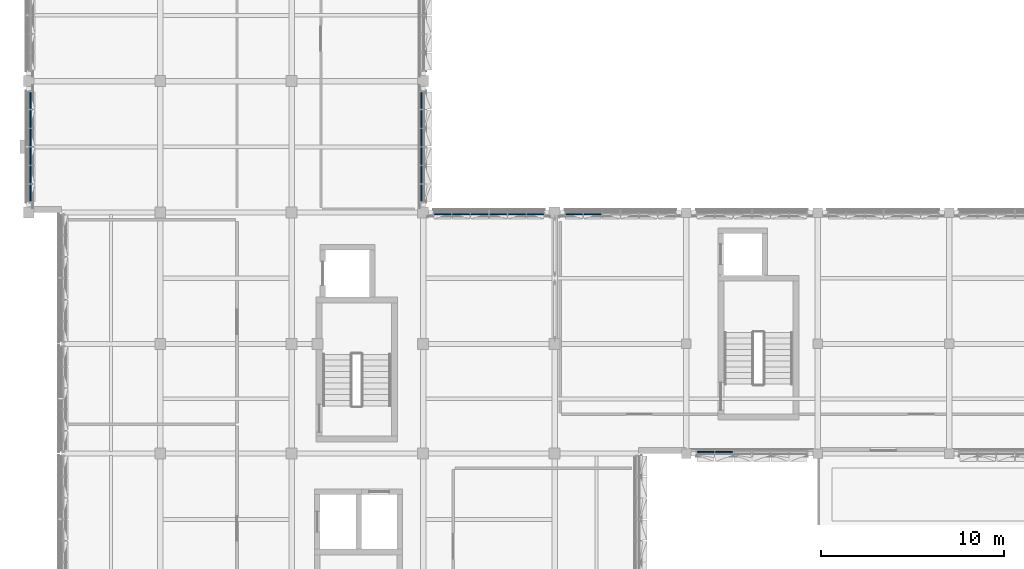
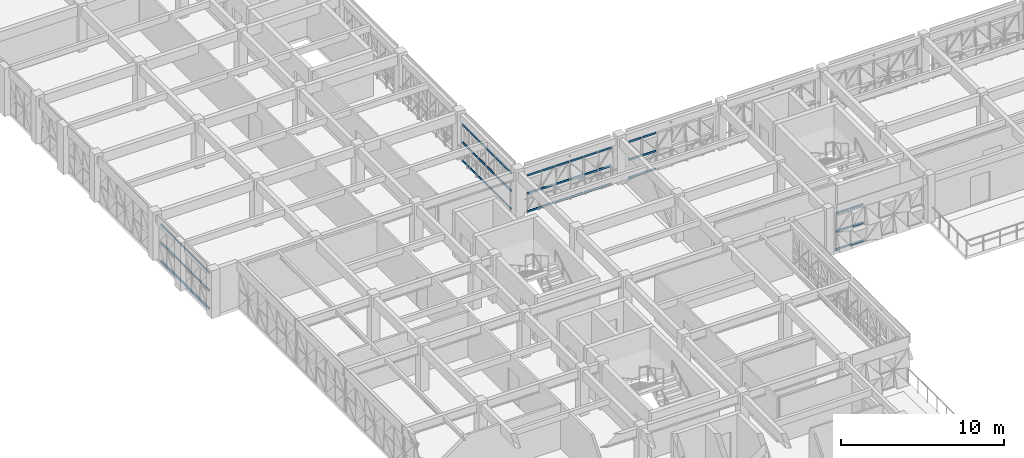
# One storey, part 17 of 74: 66 members, 5 elements without a shape of their own.
"""IFC4 building model written with IfcOpenShell, lengths in metres."""

from ifc_helpers import new_model, si_unit, direction, frame, origin, origin_2d, place, context, subcontext, project, spatial, rectangle, extrude, material, material_profile, profile_set, type_object, element, aggregate, save


model = new_model("IFC4")

# Units and contexts
model_context = context("Model", 3, precision=1e-05, world=origin(), true_north=direction((0.0, 1.0)))
body_context = subcontext(model_context, "Body", "Model", "MODEL_VIEW")
ifc_project = project(units=[si_unit("LENGTHUNIT", "METRE"), si_unit("AREAUNIT", "SQUARE_METRE"), si_unit("VOLUMEUNIT", "CUBIC_METRE"), si_unit("PLANEANGLEUNIT", "RADIAN"), si_unit("MASSUNIT", "GRAM", prefix="KILO")], contexts=[model_context])

# Site, building, storey
site_placement = place(None, origin())
site = spatial("IfcSite", under=ifc_project, at=site_placement, CompositionType="ELEMENT")
building_placement = place(site_placement, origin())
building = spatial("IfcBuilding", under=site, at=building_placement, Name="Alvorim Cloister Faculty of Sciences", CompositionType="ELEMENT")
storey_placement = place(building_placement, frame((0.0, 0.0, 15.75)))
storey = spatial("IfcBuildingStorey", under=building, at=storey_placement, Name="L04", CompositionType="ELEMENT", Elevation=15.75)

# Curtain wall, members
ifc_material_1 = material(Name="Aluminium and Low-E Glass Curtain Wall", Category="aluminium")
curtain_wall_type = type_object("IfcCurtainWallType", Name="CW-TRI-6120x2850", PredefinedType="USERDEFINED", material=ifc_material_1)
curtain_wall_1_placement = place(storey_placement, origin())
curtain_wall_1 = element("IfcCurtainWall", 1, at=curtain_wall_1_placement, inside=storey, type_object=curtain_wall_type, Name="L04 Diagonal Cassette Curtain Wall CW-0170", ObjectType="UNITISED CURTAIN WALL", PredefinedType="USERDEFINED")
ifc_material_2 = material(Name="Aluminium Alloy 6063-T6", Category="aluminium")
ifc_material_profile = material_profile(ifc_material_2, rectangle(XDim=0.06494140625, YDim=0.139892578125, at=origin_2d()), Name="ALU-TRN-65x140")
ifc_profile_set = profile_set([ifc_material_profile], Name="Aluminium Alloy 6063-T6")
member_type = type_object("IfcMemberType", Name="CW-TRN-65x140", PredefinedType="USERDEFINED", material=ifc_profile_set)
member_1_placement = place(storey_placement, frame((0.090087890625, 57.0048828125, 0.070068359375), z_axis=(0.0, 1.0, 0.0), x_axis=(-1.0, 0.0, 0.0)))
member_1 = element("IfcMember", 2, at=member_1_placement, type_object=member_type, Name="CW-0170 Transom 1.1", ObjectType="TRANSOM", PredefinedType="USERDEFINED", context=body_context, shape_type="SweptSolid", body=[
    extrude(rectangle(XDim=0.06494140625, YDim=0.139892578125, at=origin_2d()), origin(), (0.0, 0.0, 1.0), 0.922607421875),
])
member_2_placement = place(storey_placement, frame((0.090087890625, 57.0048828125, 1.425048828125), z_axis=(0.0, 1.0, 0.0), x_axis=(-1.0, 0.0, 0.0)))
member_2 = element("IfcMember", 3, at=member_2_placement, type_object=member_type, Name="CW-0170 Transom 1.2", ObjectType="TRANSOM", PredefinedType="USERDEFINED", context=body_context, shape_type="SweptSolid", body=[
    extrude(rectangle(XDim=0.06494140625, YDim=0.139892578125, at=origin_2d()), origin(), (0.0, 0.0, 1.0), 0.922607421875),
])
member_3_placement = place(storey_placement, frame((0.090087890625, 57.0048828125, 2.780029296875), z_axis=(0.0, 1.0, 0.0), x_axis=(-1.0, 0.0, 0.0)))
member_3 = element("IfcMember", 4, at=member_3_placement, type_object=member_type, Name="CW-0170 Transom 1.3", ObjectType="TRANSOM", PredefinedType="USERDEFINED", context=body_context, shape_type="SweptSolid", body=[
    extrude(rectangle(XDim=0.06494140625, YDim=0.139892578125, at=origin_2d()), origin(), (0.0, 0.0, 1.0), 0.922607421875),
])
member_4_placement = place(storey_placement, frame((0.090087890625, 57.992431640625, 0.070068359375), z_axis=(0.0, 1.0, 0.0), x_axis=(-1.0, 0.0, 0.0)))
member_4 = element("IfcMember", 5, at=member_4_placement, type_object=member_type, Name="CW-0170 Transom 2.1", ObjectType="TRANSOM", PredefinedType="USERDEFINED", context=body_context, shape_type="SweptSolid", body=[
    extrude(rectangle(XDim=0.06494140625, YDim=0.139892578125, at=origin_2d()), origin(), (0.0, 0.0, 1.0), 0.955078125),
])
member_5_placement = place(storey_placement, frame((0.090087890625, 57.992431640625, 1.425048828125), z_axis=(0.0, 1.0, 0.0), x_axis=(-1.0, 0.0, 0.0)))
member_5 = element("IfcMember", 6, at=member_5_placement, type_object=member_type, Name="CW-0170 Transom 2.2", ObjectType="TRANSOM", PredefinedType="USERDEFINED", context=body_context, shape_type="SweptSolid", body=[
    extrude(rectangle(XDim=0.06494140625, YDim=0.139892578125, at=origin_2d()), origin(), (0.0, 0.0, 1.0), 0.955078125),
])
member_6_placement = place(storey_placement, frame((0.090087890625, 57.992431640625, 2.780029296875), z_axis=(0.0, 1.0, 0.0), x_axis=(-1.0, 0.0, 0.0)))
member_6 = element("IfcMember", 7, at=member_6_placement, type_object=member_type, Name="CW-0170 Transom 2.3", ObjectType="TRANSOM", PredefinedType="USERDEFINED", context=body_context, shape_type="SweptSolid", body=[
    extrude(rectangle(XDim=0.06494140625, YDim=0.139892578125, at=origin_2d()), origin(), (0.0, 0.0, 1.0), 0.955078125),
])
member_7_placement = place(storey_placement, frame((0.090087890625, 59.012451171875, 0.070068359375), z_axis=(0.0, 1.0, 0.0), x_axis=(-1.0, 0.0, 0.0)))
member_7 = element("IfcMember", 8, at=member_7_placement, type_object=member_type, Name="CW-0170 Transom 3.1", ObjectType="TRANSOM", PredefinedType="USERDEFINED", context=body_context, shape_type="SweptSolid", body=[
    extrude(rectangle(XDim=0.06494140625, YDim=0.139892578125, at=origin_2d()), origin(), (0.0, 0.0, 1.0), 0.955078125),
])
member_8_placement = place(storey_placement, frame((0.090087890625, 59.012451171875, 1.425048828125), z_axis=(0.0, 1.0, 0.0), x_axis=(-1.0, 0.0, 0.0)))
member_8 = element("IfcMember", 9, at=member_8_placement, type_object=member_type, Name="CW-0170 Transom 3.2", ObjectType="TRANSOM", PredefinedType="USERDEFINED", context=body_context, shape_type="SweptSolid", body=[
    extrude(rectangle(XDim=0.06494140625, YDim=0.139892578125, at=origin_2d()), origin(), (0.0, 0.0, 1.0), 0.955078125),
])
member_9_placement = place(storey_placement, frame((0.090087890625, 59.012451171875, 2.780029296875), z_axis=(0.0, 1.0, 0.0), x_axis=(-1.0, 0.0, 0.0)))
member_9 = element("IfcMember", 10, at=member_9_placement, type_object=member_type, Name="CW-0170 Transom 3.3", ObjectType="TRANSOM", PredefinedType="USERDEFINED", context=body_context, shape_type="SweptSolid", body=[
    extrude(rectangle(XDim=0.06494140625, YDim=0.139892578125, at=origin_2d()), origin(), (0.0, 0.0, 1.0), 0.955078125),
])
member_10_placement = place(storey_placement, frame((0.090087890625, 60.032470703125, 0.070068359375), z_axis=(0.0, 1.0, 0.0), x_axis=(-1.0, 0.0, 0.0)))
member_10 = element("IfcMember", 11, at=member_10_placement, type_object=member_type, Name="CW-0170 Transom 4.1", ObjectType="TRANSOM", PredefinedType="USERDEFINED", context=body_context, shape_type="SweptSolid", body=[
    extrude(rectangle(XDim=0.06494140625, YDim=0.139892578125, at=origin_2d()), origin(), (0.0, 0.0, 1.0), 0.955078125),
])
member_11_placement = place(storey_placement, frame((0.090087890625, 60.032470703125, 1.425048828125), z_axis=(0.0, 1.0, 0.0), x_axis=(-1.0, 0.0, 0.0)))
member_11 = element("IfcMember", 12, at=member_11_placement, type_object=member_type, Name="CW-0170 Transom 4.2", ObjectType="TRANSOM", PredefinedType="USERDEFINED", context=body_context, shape_type="SweptSolid", body=[
    extrude(rectangle(XDim=0.06494140625, YDim=0.139892578125, at=origin_2d()), origin(), (0.0, 0.0, 1.0), 0.955078125),
])
member_12_placement = place(storey_placement, frame((0.090087890625, 60.032470703125, 2.780029296875), z_axis=(0.0, 1.0, 0.0), x_axis=(-1.0, 0.0, 0.0)))
member_12 = element("IfcMember", 13, at=member_12_placement, type_object=member_type, Name="CW-0170 Transom 4.3", ObjectType="TRANSOM", PredefinedType="USERDEFINED", context=body_context, shape_type="SweptSolid", body=[
    extrude(rectangle(XDim=0.06494140625, YDim=0.139892578125, at=origin_2d()), origin(), (0.0, 0.0, 1.0), 0.955078125),
])
member_13_placement = place(storey_placement, frame((0.090087890625, 61.052490234375, 0.070068359375), z_axis=(0.0, 1.0, 0.0), x_axis=(-1.0, 0.0, 0.0)))
member_13 = element("IfcMember", 14, at=member_13_placement, type_object=member_type, Name="CW-0170 Transom 5.1", ObjectType="TRANSOM", PredefinedType="USERDEFINED", context=body_context, shape_type="SweptSolid", body=[
    extrude(rectangle(XDim=0.06494140625, YDim=0.139892578125, at=origin_2d()), origin(), (0.0, 0.0, 1.0), 0.955078125),
])
member_14_placement = place(storey_placement, frame((0.090087890625, 61.052490234375, 1.425048828125), z_axis=(0.0, 1.0, 0.0), x_axis=(-1.0, 0.0, 0.0)))
member_14 = element("IfcMember", 15, at=member_14_placement, type_object=member_type, Name="CW-0170 Transom 5.2", ObjectType="TRANSOM", PredefinedType="USERDEFINED", context=body_context, shape_type="SweptSolid", body=[
    extrude(rectangle(XDim=0.06494140625, YDim=0.139892578125, at=origin_2d()), origin(), (0.0, 0.0, 1.0), 0.955078125),
])
member_15_placement = place(storey_placement, frame((0.090087890625, 61.052490234375, 2.780029296875), z_axis=(0.0, 1.0, 0.0), x_axis=(-1.0, 0.0, 0.0)))
member_15 = element("IfcMember", 16, at=member_15_placement, type_object=member_type, Name="CW-0170 Transom 5.3", ObjectType="TRANSOM", PredefinedType="USERDEFINED", context=body_context, shape_type="SweptSolid", body=[
    extrude(rectangle(XDim=0.06494140625, YDim=0.139892578125, at=origin_2d()), origin(), (0.0, 0.0, 1.0), 0.955078125),
])
member_16_placement = place(storey_placement, frame((0.090087890625, 62.072509765625, 0.070068359375), z_axis=(0.0, 1.0, 0.0), x_axis=(-1.0, 0.0, 0.0)))
member_16 = element("IfcMember", 17, at=member_16_placement, type_object=member_type, Name="CW-0170 Transom 6.1", ObjectType="TRANSOM", PredefinedType="USERDEFINED", context=body_context, shape_type="SweptSolid", body=[
    extrude(rectangle(XDim=0.06494140625, YDim=0.139892578125, at=origin_2d()), origin(), (0.0, 0.0, 1.0), 0.922607421875),
])
member_17_placement = place(storey_placement, frame((0.090087890625, 62.072509765625, 1.425048828125), z_axis=(0.0, 1.0, 0.0), x_axis=(-1.0, 0.0, 0.0)))
member_17 = element("IfcMember", 18, at=member_17_placement, type_object=member_type, Name="CW-0170 Transom 6.2", ObjectType="TRANSOM", PredefinedType="USERDEFINED", context=body_context, shape_type="SweptSolid", body=[
    extrude(rectangle(XDim=0.06494140625, YDim=0.139892578125, at=origin_2d()), origin(), (0.0, 0.0, 1.0), 0.922607421875),
])
member_18_placement = place(storey_placement, frame((0.090087890625, 62.072509765625, 2.780029296875), z_axis=(0.0, 1.0, 0.0), x_axis=(-1.0, 0.0, 0.0)))
member_18 = element("IfcMember", 19, at=member_18_placement, type_object=member_type, Name="CW-0170 Transom 6.3", ObjectType="TRANSOM", PredefinedType="USERDEFINED", context=body_context, shape_type="SweptSolid", body=[
    extrude(rectangle(XDim=0.06494140625, YDim=0.139892578125, at=origin_2d()), origin(), (0.0, 0.0, 1.0), 0.922607421875),
])
aggregate(curtain_wall_1, [member_1, member_2, member_3, member_4, member_5, member_6, member_7, member_8, member_9, member_10, member_11, member_12, member_13, member_14, member_15, member_16, member_17, member_18])

curtain_wall_2_placement = place(storey_placement, origin())
curtain_wall_2 = element("IfcCurtainWall", 20, at=curtain_wall_2_placement, inside=storey, type_object=curtain_wall_type, Name="L04 Diagonal Cassette Curtain Wall CW-0188", ObjectType="UNITISED CURTAIN WALL", PredefinedType="USERDEFINED")
member_19_placement = place(storey_placement, frame((21.510009765625, 57.0048828125, 0.070068359375), z_axis=(0.0, 1.0, 0.0), x_axis=(-1.0, 0.0, 0.0)))
member_19 = element("IfcMember", 21, at=member_19_placement, type_object=member_type, Name="CW-0188 Transom 1.1", ObjectType="TRANSOM", PredefinedType="USERDEFINED", context=body_context, shape_type="SweptSolid", body=[
    extrude(rectangle(XDim=0.06494140625, YDim=0.139892578125, at=origin_2d()), origin(), (0.0, 0.0, 1.0), 0.922607421875),
])
member_20_placement = place(storey_placement, frame((21.510009765625, 57.0048828125, 1.425048828125), z_axis=(0.0, 1.0, 0.0), x_axis=(-1.0, 0.0, 0.0)))
member_20 = element("IfcMember", 22, at=member_20_placement, type_object=member_type, Name="CW-0188 Transom 1.2", ObjectType="TRANSOM", PredefinedType="USERDEFINED", context=body_context, shape_type="SweptSolid", body=[
    extrude(rectangle(XDim=0.06494140625, YDim=0.139892578125, at=origin_2d()), origin(), (0.0, 0.0, 1.0), 0.922607421875),
])
member_21_placement = place(storey_placement, frame((21.510009765625, 57.0048828125, 2.780029296875), z_axis=(0.0, 1.0, 0.0), x_axis=(-1.0, 0.0, 0.0)))
member_21 = element("IfcMember", 23, at=member_21_placement, type_object=member_type, Name="CW-0188 Transom 1.3", ObjectType="TRANSOM", PredefinedType="USERDEFINED", context=body_context, shape_type="SweptSolid", body=[
    extrude(rectangle(XDim=0.06494140625, YDim=0.139892578125, at=origin_2d()), origin(), (0.0, 0.0, 1.0), 0.922607421875),
])
member_22_placement = place(storey_placement, frame((21.510009765625, 57.992431640625, 0.070068359375), z_axis=(0.0, 1.0, 0.0), x_axis=(-1.0, 0.0, 0.0)))
member_22 = element("IfcMember", 24, at=member_22_placement, type_object=member_type, Name="CW-0188 Transom 2.1", ObjectType="TRANSOM", PredefinedType="USERDEFINED", context=body_context, shape_type="SweptSolid", body=[
    extrude(rectangle(XDim=0.06494140625, YDim=0.139892578125, at=origin_2d()), origin(), (0.0, 0.0, 1.0), 0.955078125),
])
member_23_placement = place(storey_placement, frame((21.510009765625, 57.992431640625, 1.425048828125), z_axis=(0.0, 1.0, 0.0), x_axis=(-1.0, 0.0, 0.0)))
member_23 = element("IfcMember", 25, at=member_23_placement, type_object=member_type, Name="CW-0188 Transom 2.2", ObjectType="TRANSOM", PredefinedType="USERDEFINED", context=body_context, shape_type="SweptSolid", body=[
    extrude(rectangle(XDim=0.06494140625, YDim=0.139892578125, at=origin_2d()), origin(), (0.0, 0.0, 1.0), 0.955078125),
])
member_24_placement = place(storey_placement, frame((21.510009765625, 57.992431640625, 2.780029296875), z_axis=(0.0, 1.0, 0.0), x_axis=(-1.0, 0.0, 0.0)))
member_24 = element("IfcMember", 26, at=member_24_placement, type_object=member_type, Name="CW-0188 Transom 2.3", ObjectType="TRANSOM", PredefinedType="USERDEFINED", context=body_context, shape_type="SweptSolid", body=[
    extrude(rectangle(XDim=0.06494140625, YDim=0.139892578125, at=origin_2d()), origin(), (0.0, 0.0, 1.0), 0.955078125),
])
member_25_placement = place(storey_placement, frame((21.510009765625, 59.012451171875, 0.070068359375), z_axis=(0.0, 1.0, 0.0), x_axis=(-1.0, 0.0, 0.0)))
member_25 = element("IfcMember", 27, at=member_25_placement, type_object=member_type, Name="CW-0188 Transom 3.1", ObjectType="TRANSOM", PredefinedType="USERDEFINED", context=body_context, shape_type="SweptSolid", body=[
    extrude(rectangle(XDim=0.06494140625, YDim=0.139892578125, at=origin_2d()), origin(), (0.0, 0.0, 1.0), 0.955078125),
])
member_26_placement = place(storey_placement, frame((21.510009765625, 59.012451171875, 1.425048828125), z_axis=(0.0, 1.0, 0.0), x_axis=(-1.0, 0.0, 0.0)))
member_26 = element("IfcMember", 28, at=member_26_placement, type_object=member_type, Name="CW-0188 Transom 3.2", ObjectType="TRANSOM", PredefinedType="USERDEFINED", context=body_context, shape_type="SweptSolid", body=[
    extrude(rectangle(XDim=0.06494140625, YDim=0.139892578125, at=origin_2d()), origin(), (0.0, 0.0, 1.0), 0.955078125),
])
member_27_placement = place(storey_placement, frame((21.510009765625, 59.012451171875, 2.780029296875), z_axis=(0.0, 1.0, 0.0), x_axis=(-1.0, 0.0, 0.0)))
member_27 = element("IfcMember", 29, at=member_27_placement, type_object=member_type, Name="CW-0188 Transom 3.3", ObjectType="TRANSOM", PredefinedType="USERDEFINED", context=body_context, shape_type="SweptSolid", body=[
    extrude(rectangle(XDim=0.06494140625, YDim=0.139892578125, at=origin_2d()), origin(), (0.0, 0.0, 1.0), 0.955078125),
])
member_28_placement = place(storey_placement, frame((21.510009765625, 60.032470703125, 0.070068359375), z_axis=(0.0, 1.0, 0.0), x_axis=(-1.0, 0.0, 0.0)))
member_28 = element("IfcMember", 30, at=member_28_placement, type_object=member_type, Name="CW-0188 Transom 4.1", ObjectType="TRANSOM", PredefinedType="USERDEFINED", context=body_context, shape_type="SweptSolid", body=[
    extrude(rectangle(XDim=0.06494140625, YDim=0.139892578125, at=origin_2d()), origin(), (0.0, 0.0, 1.0), 0.955078125),
])
member_29_placement = place(storey_placement, frame((21.510009765625, 60.032470703125, 1.425048828125), z_axis=(0.0, 1.0, 0.0), x_axis=(-1.0, 0.0, 0.0)))
member_29 = element("IfcMember", 31, at=member_29_placement, type_object=member_type, Name="CW-0188 Transom 4.2", ObjectType="TRANSOM", PredefinedType="USERDEFINED", context=body_context, shape_type="SweptSolid", body=[
    extrude(rectangle(XDim=0.06494140625, YDim=0.139892578125, at=origin_2d()), origin(), (0.0, 0.0, 1.0), 0.955078125),
])
member_30_placement = place(storey_placement, frame((21.510009765625, 60.032470703125, 2.780029296875), z_axis=(0.0, 1.0, 0.0), x_axis=(-1.0, 0.0, 0.0)))
member_30 = element("IfcMember", 32, at=member_30_placement, type_object=member_type, Name="CW-0188 Transom 4.3", ObjectType="TRANSOM", PredefinedType="USERDEFINED", context=body_context, shape_type="SweptSolid", body=[
    extrude(rectangle(XDim=0.06494140625, YDim=0.139892578125, at=origin_2d()), origin(), (0.0, 0.0, 1.0), 0.955078125),
])
member_31_placement = place(storey_placement, frame((21.510009765625, 61.052490234375, 0.070068359375), z_axis=(0.0, 1.0, 0.0), x_axis=(-1.0, 0.0, 0.0)))
member_31 = element("IfcMember", 33, at=member_31_placement, type_object=member_type, Name="CW-0188 Transom 5.1", ObjectType="TRANSOM", PredefinedType="USERDEFINED", context=body_context, shape_type="SweptSolid", body=[
    extrude(rectangle(XDim=0.06494140625, YDim=0.139892578125, at=origin_2d()), origin(), (0.0, 0.0, 1.0), 0.955078125),
])
member_32_placement = place(storey_placement, frame((21.510009765625, 61.052490234375, 1.425048828125), z_axis=(0.0, 1.0, 0.0), x_axis=(-1.0, 0.0, 0.0)))
member_32 = element("IfcMember", 34, at=member_32_placement, type_object=member_type, Name="CW-0188 Transom 5.2", ObjectType="TRANSOM", PredefinedType="USERDEFINED", context=body_context, shape_type="SweptSolid", body=[
    extrude(rectangle(XDim=0.06494140625, YDim=0.139892578125, at=origin_2d()), origin(), (0.0, 0.0, 1.0), 0.955078125),
])
member_33_placement = place(storey_placement, frame((21.510009765625, 61.052490234375, 2.780029296875), z_axis=(0.0, 1.0, 0.0), x_axis=(-1.0, 0.0, 0.0)))
member_33 = element("IfcMember", 35, at=member_33_placement, type_object=member_type, Name="CW-0188 Transom 5.3", ObjectType="TRANSOM", PredefinedType="USERDEFINED", context=body_context, shape_type="SweptSolid", body=[
    extrude(rectangle(XDim=0.06494140625, YDim=0.139892578125, at=origin_2d()), origin(), (0.0, 0.0, 1.0), 0.955078125),
])
member_34_placement = place(storey_placement, frame((21.510009765625, 62.072509765625, 0.070068359375), z_axis=(0.0, 1.0, 0.0), x_axis=(-1.0, 0.0, 0.0)))
member_34 = element("IfcMember", 36, at=member_34_placement, type_object=member_type, Name="CW-0188 Transom 6.1", ObjectType="TRANSOM", PredefinedType="USERDEFINED", context=body_context, shape_type="SweptSolid", body=[
    extrude(rectangle(XDim=0.06494140625, YDim=0.139892578125, at=origin_2d()), origin(), (0.0, 0.0, 1.0), 0.922607421875),
])
member_35_placement = place(storey_placement, frame((21.510009765625, 62.072509765625, 1.425048828125), z_axis=(0.0, 1.0, 0.0), x_axis=(-1.0, 0.0, 0.0)))
member_35 = element("IfcMember", 37, at=member_35_placement, type_object=member_type, Name="CW-0188 Transom 6.2", ObjectType="TRANSOM", PredefinedType="USERDEFINED", context=body_context, shape_type="SweptSolid", body=[
    extrude(rectangle(XDim=0.06494140625, YDim=0.139892578125, at=origin_2d()), origin(), (0.0, 0.0, 1.0), 0.922607421875),
])
member_36_placement = place(storey_placement, frame((21.510009765625, 62.072509765625, 2.780029296875), z_axis=(0.0, 1.0, 0.0), x_axis=(-1.0, 0.0, 0.0)))
member_36 = element("IfcMember", 38, at=member_36_placement, type_object=member_type, Name="CW-0188 Transom 6.3", ObjectType="TRANSOM", PredefinedType="USERDEFINED", context=body_context, shape_type="SweptSolid", body=[
    extrude(rectangle(XDim=0.06494140625, YDim=0.139892578125, at=origin_2d()), origin(), (0.0, 0.0, 1.0), 0.922607421875),
])
aggregate(curtain_wall_2, [member_19, member_20, member_21, member_22, member_23, member_24, member_25, member_26, member_27, member_28, member_29, member_30, member_31, member_32, member_33, member_34, member_35, member_36])

curtain_wall_3_placement = place(storey_placement, origin())
curtain_wall_3 = element("IfcCurtainWall", 39, at=curtain_wall_3_placement, inside=storey, type_object=curtain_wall_type, Name="L04 Diagonal Cassette Curtain Wall CW-0189", ObjectType="UNITISED CURTAIN WALL", PredefinedType="USERDEFINED")
member_37_placement = place(storey_placement, frame((22.205078125, 56.31005859375, 0.070068359375), z_axis=(1.0, 0.0, 0.0), x_axis=(0.0, 1.0, 0.0)))
member_37 = element("IfcMember", 40, at=member_37_placement, type_object=member_type, Name="CW-0189 Transom 1.1", ObjectType="TRANSOM", PredefinedType="USERDEFINED", context=body_context, shape_type="SweptSolid", body=[
    extrude(rectangle(XDim=0.06494140625, YDim=0.139892578125, at=origin_2d()), origin(), (0.0, 0.0, 1.0), 0.92236328125),
])
member_38_placement = place(storey_placement, frame((22.205078125, 56.31005859375, 1.425048828125), z_axis=(1.0, 0.0, 0.0), x_axis=(0.0, 1.0, 0.0)))
member_38 = element("IfcMember", 41, at=member_38_placement, type_object=member_type, Name="CW-0189 Transom 1.2", ObjectType="TRANSOM", PredefinedType="USERDEFINED", context=body_context, shape_type="SweptSolid", body=[
    extrude(rectangle(XDim=0.06494140625, YDim=0.139892578125, at=origin_2d()), origin(), (0.0, 0.0, 1.0), 0.92236328125),
])
member_39_placement = place(storey_placement, frame((22.205078125, 56.31005859375, 2.780029296875), z_axis=(1.0, 0.0, 0.0), x_axis=(0.0, 1.0, 0.0)))
member_39 = element("IfcMember", 42, at=member_39_placement, type_object=member_type, Name="CW-0189 Transom 1.3", ObjectType="TRANSOM", PredefinedType="USERDEFINED", context=body_context, shape_type="SweptSolid", body=[
    extrude(rectangle(XDim=0.06494140625, YDim=0.139892578125, at=origin_2d()), origin(), (0.0, 0.0, 1.0), 0.92236328125),
])
member_40_placement = place(storey_placement, frame((23.1923828125, 56.31005859375, 0.070068359375), z_axis=(1.0, 0.0, 0.0), x_axis=(0.0, 1.0, 0.0)))
member_40 = element("IfcMember", 43, at=member_40_placement, type_object=member_type, Name="CW-0189 Transom 2.1", ObjectType="TRANSOM", PredefinedType="USERDEFINED", context=body_context, shape_type="SweptSolid", body=[
    extrude(rectangle(XDim=0.06494140625, YDim=0.139892578125, at=origin_2d()), origin(), (0.0, 0.0, 1.0), 0.955078125),
])
member_41_placement = place(storey_placement, frame((23.1923828125, 56.31005859375, 1.425048828125), z_axis=(1.0, 0.0, 0.0), x_axis=(0.0, 1.0, 0.0)))
member_41 = element("IfcMember", 44, at=member_41_placement, type_object=member_type, Name="CW-0189 Transom 2.2", ObjectType="TRANSOM", PredefinedType="USERDEFINED", context=body_context, shape_type="SweptSolid", body=[
    extrude(rectangle(XDim=0.06494140625, YDim=0.139892578125, at=origin_2d()), origin(), (0.0, 0.0, 1.0), 0.955078125),
])
member_42_placement = place(storey_placement, frame((23.1923828125, 56.31005859375, 2.780029296875), z_axis=(1.0, 0.0, 0.0), x_axis=(0.0, 1.0, 0.0)))
member_42 = element("IfcMember", 45, at=member_42_placement, type_object=member_type, Name="CW-0189 Transom 2.3", ObjectType="TRANSOM", PredefinedType="USERDEFINED", context=body_context, shape_type="SweptSolid", body=[
    extrude(rectangle(XDim=0.06494140625, YDim=0.139892578125, at=origin_2d()), origin(), (0.0, 0.0, 1.0), 0.955078125),
])
member_43_placement = place(storey_placement, frame((24.21240234375, 56.31005859375, 0.070068359375), z_axis=(1.0, 0.0, 0.0), x_axis=(0.0, 1.0, 0.0)))
member_43 = element("IfcMember", 46, at=member_43_placement, type_object=member_type, Name="CW-0189 Transom 3.1", ObjectType="TRANSOM", PredefinedType="USERDEFINED", context=body_context, shape_type="SweptSolid", body=[
    extrude(rectangle(XDim=0.06494140625, YDim=0.139892578125, at=origin_2d()), origin(), (0.0, 0.0, 1.0), 0.955078125),
])
member_44_placement = place(storey_placement, frame((24.21240234375, 56.31005859375, 1.425048828125), z_axis=(1.0, 0.0, 0.0), x_axis=(0.0, 1.0, 0.0)))
member_44 = element("IfcMember", 47, at=member_44_placement, type_object=member_type, Name="CW-0189 Transom 3.2", ObjectType="TRANSOM", PredefinedType="USERDEFINED", context=body_context, shape_type="SweptSolid", body=[
    extrude(rectangle(XDim=0.06494140625, YDim=0.139892578125, at=origin_2d()), origin(), (0.0, 0.0, 1.0), 0.955078125),
])
member_45_placement = place(storey_placement, frame((24.21240234375, 56.31005859375, 2.780029296875), z_axis=(1.0, 0.0, 0.0), x_axis=(0.0, 1.0, 0.0)))
member_45 = element("IfcMember", 48, at=member_45_placement, type_object=member_type, Name="CW-0189 Transom 3.3", ObjectType="TRANSOM", PredefinedType="USERDEFINED", context=body_context, shape_type="SweptSolid", body=[
    extrude(rectangle(XDim=0.06494140625, YDim=0.139892578125, at=origin_2d()), origin(), (0.0, 0.0, 1.0), 0.955078125),
])
member_46_placement = place(storey_placement, frame((25.232421875, 56.31005859375, 0.070068359375), z_axis=(1.0, 0.0, 0.0), x_axis=(0.0, 1.0, 0.0)))
member_46 = element("IfcMember", 49, at=member_46_placement, type_object=member_type, Name="CW-0189 Transom 4.1", ObjectType="TRANSOM", PredefinedType="USERDEFINED", context=body_context, shape_type="SweptSolid", body=[
    extrude(rectangle(XDim=0.06494140625, YDim=0.139892578125, at=origin_2d()), origin(), (0.0, 0.0, 1.0), 0.955078125),
])
member_47_placement = place(storey_placement, frame((25.232421875, 56.31005859375, 1.425048828125), z_axis=(1.0, 0.0, 0.0), x_axis=(0.0, 1.0, 0.0)))
member_47 = element("IfcMember", 50, at=member_47_placement, type_object=member_type, Name="CW-0189 Transom 4.2", ObjectType="TRANSOM", PredefinedType="USERDEFINED", context=body_context, shape_type="SweptSolid", body=[
    extrude(rectangle(XDim=0.06494140625, YDim=0.139892578125, at=origin_2d()), origin(), (0.0, 0.0, 1.0), 0.955078125),
])
member_48_placement = place(storey_placement, frame((25.232421875, 56.31005859375, 2.780029296875), z_axis=(1.0, 0.0, 0.0), x_axis=(0.0, 1.0, 0.0)))
member_48 = element("IfcMember", 51, at=member_48_placement, type_object=member_type, Name="CW-0189 Transom 4.3", ObjectType="TRANSOM", PredefinedType="USERDEFINED", context=body_context, shape_type="SweptSolid", body=[
    extrude(rectangle(XDim=0.06494140625, YDim=0.139892578125, at=origin_2d()), origin(), (0.0, 0.0, 1.0), 0.955078125),
])
member_49_placement = place(storey_placement, frame((26.25244140625, 56.31005859375, 0.070068359375), z_axis=(1.0, 0.0, 0.0), x_axis=(0.0, 1.0, 0.0)))
member_49 = element("IfcMember", 52, at=member_49_placement, type_object=member_type, Name="CW-0189 Transom 5.1", ObjectType="TRANSOM", PredefinedType="USERDEFINED", context=body_context, shape_type="SweptSolid", body=[
    extrude(rectangle(XDim=0.06494140625, YDim=0.139892578125, at=origin_2d()), origin(), (0.0, 0.0, 1.0), 0.955078125),
])
member_50_placement = place(storey_placement, frame((26.25244140625, 56.31005859375, 1.425048828125), z_axis=(1.0, 0.0, 0.0), x_axis=(0.0, 1.0, 0.0)))
member_50 = element("IfcMember", 53, at=member_50_placement, type_object=member_type, Name="CW-0189 Transom 5.2", ObjectType="TRANSOM", PredefinedType="USERDEFINED", context=body_context, shape_type="SweptSolid", body=[
    extrude(rectangle(XDim=0.06494140625, YDim=0.139892578125, at=origin_2d()), origin(), (0.0, 0.0, 1.0), 0.955078125),
])
member_51_placement = place(storey_placement, frame((26.25244140625, 56.31005859375, 2.780029296875), z_axis=(1.0, 0.0, 0.0), x_axis=(0.0, 1.0, 0.0)))
member_51 = element("IfcMember", 54, at=member_51_placement, type_object=member_type, Name="CW-0189 Transom 5.3", ObjectType="TRANSOM", PredefinedType="USERDEFINED", context=body_context, shape_type="SweptSolid", body=[
    extrude(rectangle(XDim=0.06494140625, YDim=0.139892578125, at=origin_2d()), origin(), (0.0, 0.0, 1.0), 0.955078125),
])
member_52_placement = place(storey_placement, frame((27.2724609375, 56.31005859375, 0.070068359375), z_axis=(1.0, 0.0, 0.0), x_axis=(0.0, 1.0, 0.0)))
member_52 = element("IfcMember", 55, at=member_52_placement, type_object=member_type, Name="CW-0189 Transom 6.1", ObjectType="TRANSOM", PredefinedType="USERDEFINED", context=body_context, shape_type="SweptSolid", body=[
    extrude(rectangle(XDim=0.06494140625, YDim=0.139892578125, at=origin_2d()), origin(), (0.0, 0.0, 1.0), 0.922607421875),
])
member_53_placement = place(storey_placement, frame((27.2724609375, 56.31005859375, 1.425048828125), z_axis=(1.0, 0.0, 0.0), x_axis=(0.0, 1.0, 0.0)))
member_53 = element("IfcMember", 56, at=member_53_placement, type_object=member_type, Name="CW-0189 Transom 6.2", ObjectType="TRANSOM", PredefinedType="USERDEFINED", context=body_context, shape_type="SweptSolid", body=[
    extrude(rectangle(XDim=0.06494140625, YDim=0.139892578125, at=origin_2d()), origin(), (0.0, 0.0, 1.0), 0.922607421875),
])
member_54_placement = place(storey_placement, frame((27.2724609375, 56.31005859375, 2.780029296875), z_axis=(1.0, 0.0, 0.0), x_axis=(0.0, 1.0, 0.0)))
member_54 = element("IfcMember", 57, at=member_54_placement, type_object=member_type, Name="CW-0189 Transom 6.3", ObjectType="TRANSOM", PredefinedType="USERDEFINED", context=body_context, shape_type="SweptSolid", body=[
    extrude(rectangle(XDim=0.06494140625, YDim=0.139892578125, at=origin_2d()), origin(), (0.0, 0.0, 1.0), 0.922607421875),
])
aggregate(curtain_wall_3, [member_37, member_38, member_39, member_40, member_41, member_42, member_43, member_44, member_45, member_46, member_47, member_48, member_49, member_50, member_51, member_52, member_53, member_54])

curtain_wall_4_placement = place(storey_placement, origin())
curtain_wall_4 = element("IfcCurtainWall", 58, at=curtain_wall_4_placement, inside=storey, type_object=curtain_wall_type, Name="L04 Diagonal Cassette Curtain Wall CW-0190", ObjectType="UNITISED CURTAIN WALL", PredefinedType="USERDEFINED")
member_55_placement = place(storey_placement, frame((29.405029296875, 56.31005859375, 0.070068359375), z_axis=(1.0, 0.0, 0.0), x_axis=(0.0, 1.0, 0.0)))
member_55 = element("IfcMember", 59, at=member_55_placement, type_object=member_type, Name="CW-0190 Transom 1.1", ObjectType="TRANSOM", PredefinedType="USERDEFINED", context=body_context, shape_type="SweptSolid", body=[
    extrude(rectangle(XDim=0.06494140625, YDim=0.139892578125, at=origin_2d()), origin(), (0.0, 0.0, 1.0), 0.92236328125),
])
member_56_placement = place(storey_placement, frame((29.405029296875, 56.31005859375, 1.425048828125), z_axis=(1.0, 0.0, 0.0), x_axis=(0.0, 1.0, 0.0)))
member_56 = element("IfcMember", 60, at=member_56_placement, type_object=member_type, Name="CW-0190 Transom 1.2", ObjectType="TRANSOM", PredefinedType="USERDEFINED", context=body_context, shape_type="SweptSolid", body=[
    extrude(rectangle(XDim=0.06494140625, YDim=0.139892578125, at=origin_2d()), origin(), (0.0, 0.0, 1.0), 0.92236328125),
])
member_57_placement = place(storey_placement, frame((29.405029296875, 56.31005859375, 2.780029296875), z_axis=(1.0, 0.0, 0.0), x_axis=(0.0, 1.0, 0.0)))
member_57 = element("IfcMember", 61, at=member_57_placement, type_object=member_type, Name="CW-0190 Transom 1.3", ObjectType="TRANSOM", PredefinedType="USERDEFINED", context=body_context, shape_type="SweptSolid", body=[
    extrude(rectangle(XDim=0.06494140625, YDim=0.139892578125, at=origin_2d()), origin(), (0.0, 0.0, 1.0), 0.92236328125),
])
member_58_placement = place(storey_placement, frame((30.392578125, 56.31005859375, 0.070068359375), z_axis=(1.0, 0.0, 0.0), x_axis=(0.0, 1.0, 0.0)))
member_58 = element("IfcMember", 62, at=member_58_placement, type_object=member_type, Name="CW-0190 Transom 2.1", ObjectType="TRANSOM", PredefinedType="USERDEFINED", context=body_context, shape_type="SweptSolid", body=[
    extrude(rectangle(XDim=0.06494140625, YDim=0.139892578125, at=origin_2d()), origin(), (0.0, 0.0, 1.0), 0.954833984375),
])
member_59_placement = place(storey_placement, frame((30.392578125, 56.31005859375, 1.425048828125), z_axis=(1.0, 0.0, 0.0), x_axis=(0.0, 1.0, 0.0)))
member_59 = element("IfcMember", 63, at=member_59_placement, type_object=member_type, Name="CW-0190 Transom 2.2", ObjectType="TRANSOM", PredefinedType="USERDEFINED", context=body_context, shape_type="SweptSolid", body=[
    extrude(rectangle(XDim=0.06494140625, YDim=0.139892578125, at=origin_2d()), origin(), (0.0, 0.0, 1.0), 0.954833984375),
])
member_60_placement = place(storey_placement, frame((30.392578125, 56.31005859375, 2.780029296875), z_axis=(1.0, 0.0, 0.0), x_axis=(0.0, 1.0, 0.0)))
member_60 = element("IfcMember", 64, at=member_60_placement, type_object=member_type, Name="CW-0190 Transom 2.3", ObjectType="TRANSOM", PredefinedType="USERDEFINED", context=body_context, shape_type="SweptSolid", body=[
    extrude(rectangle(XDim=0.06494140625, YDim=0.139892578125, at=origin_2d()), origin(), (0.0, 0.0, 1.0), 0.954833984375),
])
aggregate(curtain_wall_4, [member_55, member_56, member_57, member_58, member_59, member_60])

curtain_wall_5_placement = place(storey_placement, origin())
curtain_wall_5 = element("IfcCurtainWall", 65, at=curtain_wall_5_placement, inside=storey, type_object=curtain_wall_type, Name="L04 Diagonal Cassette Curtain Wall CW-0196", ObjectType="UNITISED CURTAIN WALL", PredefinedType="USERDEFINED")
member_61_placement = place(storey_placement, frame((36.60498046875, 43.2900390625, 0.070068359375), z_axis=(1.0, 0.0, 0.0), x_axis=(0.0, 1.0, 0.0)))
member_61 = element("IfcMember", 66, at=member_61_placement, type_object=member_type, Name="CW-0196 Transom 1.1", ObjectType="TRANSOM", PredefinedType="USERDEFINED", context=body_context, shape_type="SweptSolid", body=[
    extrude(rectangle(XDim=0.06494140625, YDim=0.139892578125, at=origin_2d()), origin(), (0.0, 0.0, 1.0), 0.922607421875),
])
member_62_placement = place(storey_placement, frame((36.60498046875, 43.2900390625, 1.425048828125), z_axis=(1.0, 0.0, 0.0), x_axis=(0.0, 1.0, 0.0)))
member_62 = element("IfcMember", 67, at=member_62_placement, type_object=member_type, Name="CW-0196 Transom 1.2", ObjectType="TRANSOM", PredefinedType="USERDEFINED", context=body_context, shape_type="SweptSolid", body=[
    extrude(rectangle(XDim=0.06494140625, YDim=0.139892578125, at=origin_2d()), origin(), (0.0, 0.0, 1.0), 0.922607421875),
])
member_63_placement = place(storey_placement, frame((36.60498046875, 43.2900390625, 2.780029296875), z_axis=(1.0, 0.0, 0.0), x_axis=(0.0, 1.0, 0.0)))
member_63 = element("IfcMember", 68, at=member_63_placement, type_object=member_type, Name="CW-0196 Transom 1.3", ObjectType="TRANSOM", PredefinedType="USERDEFINED", context=body_context, shape_type="SweptSolid", body=[
    extrude(rectangle(XDim=0.06494140625, YDim=0.139892578125, at=origin_2d()), origin(), (0.0, 0.0, 1.0), 0.922607421875),
])
member_64_placement = place(storey_placement, frame((37.592529296875, 43.2900390625, 0.070068359375), z_axis=(1.0, 0.0, 0.0), x_axis=(0.0, 1.0, 0.0)))
member_64 = element("IfcMember", 69, at=member_64_placement, type_object=member_type, Name="CW-0196 Transom 2.1", ObjectType="TRANSOM", PredefinedType="USERDEFINED", context=body_context, shape_type="SweptSolid", body=[
    extrude(rectangle(XDim=0.06494140625, YDim=0.139892578125, at=origin_2d()), origin(), (0.0, 0.0, 1.0), 0.955078125),
])
member_65_placement = place(storey_placement, frame((37.592529296875, 43.2900390625, 1.425048828125), z_axis=(1.0, 0.0, 0.0), x_axis=(0.0, 1.0, 0.0)))
member_65 = element("IfcMember", 70, at=member_65_placement, type_object=member_type, Name="CW-0196 Transom 2.2", ObjectType="TRANSOM", PredefinedType="USERDEFINED", context=body_context, shape_type="SweptSolid", body=[
    extrude(rectangle(XDim=0.06494140625, YDim=0.139892578125, at=origin_2d()), origin(), (0.0, 0.0, 1.0), 0.955078125),
])
member_66_placement = place(storey_placement, frame((37.592529296875, 43.2900390625, 2.780029296875), z_axis=(1.0, 0.0, 0.0), x_axis=(0.0, 1.0, 0.0)))
member_66 = element("IfcMember", 71, at=member_66_placement, type_object=member_type, Name="CW-0196 Transom 2.3", ObjectType="TRANSOM", PredefinedType="USERDEFINED", context=body_context, shape_type="SweptSolid", body=[
    extrude(rectangle(XDim=0.06494140625, YDim=0.139892578125, at=origin_2d()), origin(), (0.0, 0.0, 1.0), 0.955078125),
])
aggregate(curtain_wall_5, [member_61, member_62, member_63, member_64, member_65, member_66])

save(model, "model.ifc")
